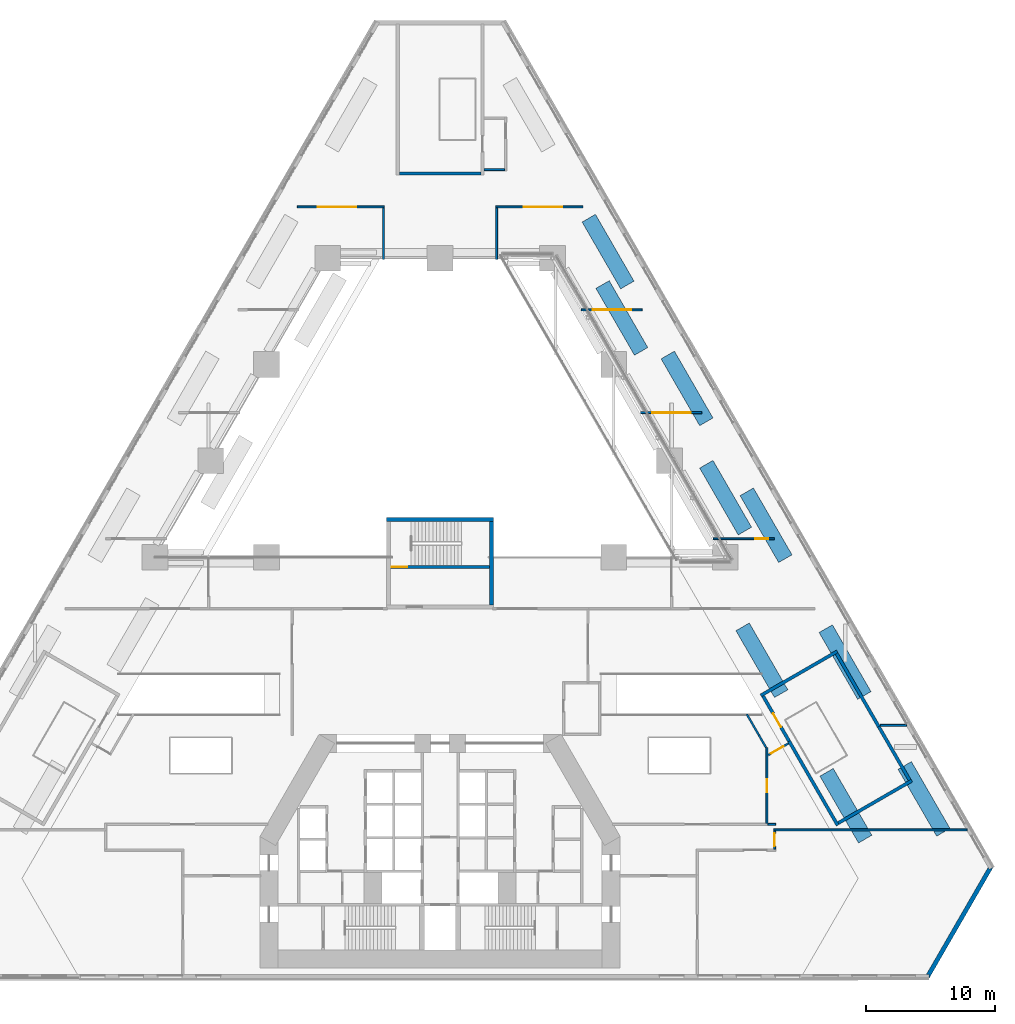
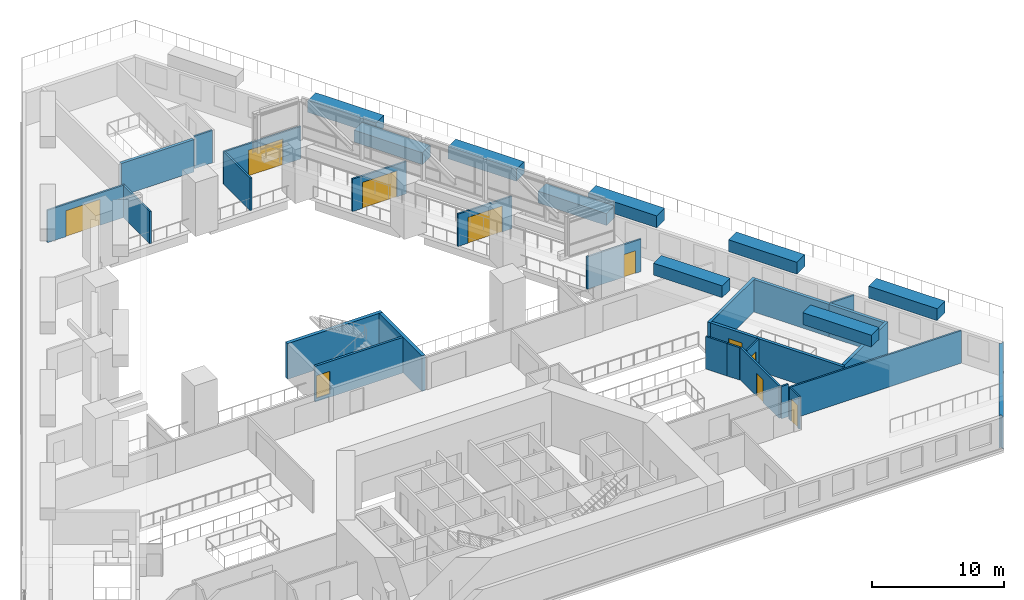
# One storey, part 12 of 19: 36 walls, 10 doors, 10 openings.
"""IFC4 building model written with IfcOpenShell, lengths in metres."""

from ifc_helpers import new_model, si_unit, direction, frame, frame_2d, origin, place, context, subcontext, project, spatial, polyline, rectangle, outline, extrude, material, layer, layer_set, type_object, element, fill, save


model = new_model("IFC4")

# Units and contexts
model_context = context("Model", 3, precision=1e-05, world=origin(), true_north=direction((0.0, 1.0)))
body_context = subcontext(model_context, "Body", "Model", "MODEL_VIEW")
ifc_project = project(units=[si_unit("LENGTHUNIT", "METRE"), si_unit("AREAUNIT", "SQUARE_METRE"), si_unit("VOLUMEUNIT", "CUBIC_METRE"), si_unit("PLANEANGLEUNIT", "RADIAN"), si_unit("MASSUNIT", "GRAM", prefix="KILO")], contexts=[model_context])

# Site, building, storey
site_placement = place(None, origin())
site = spatial("IfcSite", under=ifc_project, at=site_placement, CompositionType="ELEMENT")
building_placement = place(site_placement, origin())
building = spatial("IfcBuilding", under=site, at=building_placement, Name="Fogline Exchange Tower", CompositionType="ELEMENT")
storey_placement = place(building_placement, frame((0.0, 0.0, 20.0)))
storey = spatial("IfcBuildingStorey", under=building, at=storey_placement, Name="L03", CompositionType="ELEMENT", Elevation=20.0)

# Wall, opening, door
ifc_material_1 = material(Name="Concrete C40", Category="concrete")
ifc_layer_1 = layer(ifc_material_1, 0.199951171875)
ifc_layer_set_1 = layer_set([ifc_layer_1], Name="CW20R")
wall_type_1 = type_object("IfcWallType", Name="CW20R", PredefinedType="SOLIDWALL", material=ifc_layer_set_1)
wall_1_placement = place(storey_placement, frame((-3.85009765625, 32.007080078125, -0.300048828125), z_axis=(0.0, 0.0, 1.0), x_axis=(1.0, 0.0, 0.0)))
wall_1 = element("IfcWall", 1, at=wall_1_placement, inside=storey, type_object=wall_type_1, Name="Stair enclosure wall ST3", PredefinedType="SOLIDWALL", context=body_context, shape_type="SweptSolid", body=[
    extrude(rectangle(XDim=7.7001953125, YDim=0.199951171875, at=frame_2d((3.85009765625, 0.0))), origin(), (0.0, 0.0, 1.0), 3.300048828125),
])
opening_1_placement = place(wall_1_placement, frame((0.10009765625, 0.0, 0.300048828125)))
opening_1 = element("IfcOpeningElement", 2, at=opening_1_placement, cuts=wall_1, Name="Opening P03-C022", PredefinedType="OPENING", context=body_context, shape_type="SweptSolid", body=[
    extrude(rectangle(XDim=1.199951171875, YDim=2.10009765625, at=frame_2d((0.60009765625, 1.050048828125))), frame((0.0, 0.10986328125, 0.0), z_axis=(0.0, -1.0, 0.0), x_axis=(1.0, 0.0, 0.0)), (0.0, 0.0, 1.0), 0.219970703125),
])
ifc_material_2 = material(Name="Steel and timber fire door", Category="steel")
door_type_1 = type_object("IfcDoorType", Name="D-ST1", OperationType="SINGLE_SWING_LEFT", PredefinedType="DOOR", material=ifc_material_2)
door_1_placement = place(opening_1_placement, origin())
door_1 = element("IfcDoor", 3, at=door_1_placement, inside=storey, type_object=door_type_1, Name="Stair door ST3", OperationType="SINGLE_SWING_LEFT", OverallHeight=2.10009765625, OverallWidth=1.199951171875, PredefinedType="DOOR", context=body_context, shape_type="SweptSolid", body=[
    extrude(rectangle(XDim=1.199951171875, YDim=2.10009765625, at=frame_2d((0.60009765625, 1.050048828125))), frame((0.0, 0.02490234375, 0.0), z_axis=(0.0, -1.0, 0.0), x_axis=(1.0, 0.0, 0.0)), (0.0, 0.0, 1.0), 0.050048828125),
])
fill(opening_1, door_1)

# Walls
ifc_layer_2 = layer(ifc_material_1, 0.300048828125)
ifc_layer_set_2 = layer_set([ifc_layer_2], Name="CW30")
wall_type_2 = type_object("IfcWallType", Name="CW30", PredefinedType="SOLIDWALL", material=ifc_layer_set_2)
wall_2_placement = place(storey_placement, frame((-4.14990234375, 35.70703125, -0.300048828125), z_axis=(0.0, 0.0, 1.0), x_axis=(1.0, 0.0, 0.0)))
element("IfcWall", 4, at=wall_2_placement, inside=storey, type_object=wall_type_2, Name="Stair enclosure wall ST3", PredefinedType="SOLIDWALL", context=body_context, shape_type="SweptSolid", body=[
    extrude(rectangle(XDim=8.2998046875, YDim=0.300048828125, at=frame_2d((4.14990234375, 0.0))), origin(), (0.0, 0.0, 1.0), 3.300048828125),
])
wall_3_placement = place(storey_placement, frame((4.0, 29.056884765625, -0.300048828125), z_axis=(0.0, 0.0, 1.0), x_axis=(0.0, 1.0, 0.0)))
element("IfcWall", 5, at=wall_3_placement, inside=storey, type_object=wall_type_2, Name="Stair enclosure wall ST3", PredefinedType="SOLIDWALL", context=body_context, shape_type="SweptSolid", body=[
    extrude(rectangle(XDim=6.5, YDim=0.300048828125, at=frame_2d((3.25, 0.0))), origin(), (0.0, 0.0, 1.0), 3.300048828125),
])
ifc_material_3 = material(Name="Brick masonry", Category="masonry")
ifc_layer_3 = layer(ifc_material_3, 0.340087890625)
ifc_layer_set_3 = layer_set([ifc_layer_3], Name="FW1")
wall_type_3 = type_object("IfcWallType", Name="FW1", PredefinedType="SOLIDWALL", material=ifc_layer_set_3)
wall_4_placement = place(storey_placement, origin())
element("IfcWall", 6, at=wall_4_placement, inside=storey, type_object=wall_type_3, Name="Brick wall L03 SE-c", PredefinedType="SOLIDWALL", context=body_context, shape_type="SweptSolid", body=[
    extrude(outline(polyline([(37.99951171875, -0.0009765625), (37.99951171875, 0.33935546875), (37.802734375, 0.33935546875), (42.607421875, 8.661376953125), (42.705810546875, 8.490966796875), (43.000732421875, 8.661376953125), (43.0009765625, 8.660888671875), (38.0, -0.001220703125), (37.99951171875, -0.0009765625)])), origin(), (0.0, 0.0, 1.0), 3.0),
])
ifc_material_4 = material(Name="Concrete C30", Category="concrete")
ifc_layer_4 = layer(ifc_material_4, 0.199951171875)
ifc_layer_set_4 = layer_set([ifc_layer_4], Name="PL1")
wall_type_4 = type_object("IfcWallType", Name="PL1", PredefinedType="USERDEFINED", material=ifc_layer_set_4)
wall_5_placement = place(storey_placement, frame((0.0, 0.0, 5.0)))
element("IfcWall", 7, at=wall_5_placement, inside=storey, type_object=wall_type_4, Name="PLANTER podium terrace", ObjectType="PLANTER", PredefinedType="USERDEFINED", context=body_context, shape_type="SweptSolid", body=[
    extrude(outline(polyline([(12.076171875, 59.421875), (11.037109375, 58.82177734375), (14.037109375, 53.62548828125), (15.076171875, 54.2255859375), (12.076171875, 59.421875)])), origin(), (0.0, 0.0, 1.0), 1.10009765625),
])
wall_6_placement = place(storey_placement, frame((0.0, 0.0, 5.0)))
element("IfcWall", 8, at=wall_6_placement, inside=storey, type_object=wall_type_4, Name="PLANTER podium terrace", ObjectType="PLANTER", PredefinedType="USERDEFINED", context=body_context, shape_type="SweptSolid", body=[
    extrude(outline(polyline([(18.217041015625, 48.785400390625), (17.177978515625, 48.185546875), (20.177978515625, 42.9892578125), (21.217041015625, 43.58935546875), (18.217041015625, 48.785400390625)])), origin(), (0.0, 0.0, 1.0), 1.10009765625),
])
wall_7_placement = place(storey_placement, frame((0.0, 0.0, 5.0)))
element("IfcWall", 9, at=wall_7_placement, inside=storey, type_object=wall_type_4, Name="PLANTER podium terrace", ObjectType="PLANTER", PredefinedType="USERDEFINED", context=body_context, shape_type="SweptSolid", body=[
    extrude(outline(polyline([(24.35791015625, 38.149169921875), (23.31884765625, 37.549072265625), (26.31884765625, 32.35302734375), (27.35791015625, 32.952880859375), (24.35791015625, 38.149169921875)])), origin(), (0.0, 0.0, 1.0), 1.10009765625),
])
wall_8_placement = place(storey_placement, frame((0.0, 0.0, 5.0)))
element("IfcWall", 10, at=wall_8_placement, inside=storey, type_object=wall_type_4, Name="PLANTER podium terrace", ObjectType="PLANTER", PredefinedType="USERDEFINED", context=body_context, shape_type="SweptSolid", body=[
    extrude(outline(polyline([(30.498779296875, 27.5126953125), (29.459716796875, 26.912841796875), (32.459716796875, 21.716796875), (33.498779296875, 22.316650390625), (30.498779296875, 27.5126953125)])), origin(), (0.0, 0.0, 1.0), 1.10009765625),
])
wall_9_placement = place(storey_placement, frame((0.0, 0.0, 5.0)))
element("IfcWall", 11, at=wall_9_placement, inside=storey, type_object=wall_type_4, Name="PLANTER podium terrace", ObjectType="PLANTER", PredefinedType="USERDEFINED", context=body_context, shape_type="SweptSolid", body=[
    extrude(outline(polyline([(36.639892578125, 16.87646484375), (35.6005859375, 16.276611328125), (38.6005859375, 11.080322265625), (39.639892578125, 11.680419921875), (36.639892578125, 16.87646484375)])), origin(), (0.0, 0.0, 1.0), 1.10009765625),
])
wall_10_placement = place(storey_placement, frame((0.0, 0.0, 5.0)))
element("IfcWall", 12, at=wall_10_placement, inside=storey, type_object=wall_type_4, Name="PLANTER podium terrace", ObjectType="PLANTER", PredefinedType="USERDEFINED", context=body_context, shape_type="SweptSolid", body=[
    extrude(outline(polyline([(32.525390625, 10.550048828125), (33.564697265625, 11.150146484375), (30.564697265625, 16.34619140625), (29.525390625, 15.74609375), (32.525390625, 10.550048828125)])), origin(), (0.0, 0.0, 1.0), 1.10009765625),
])
wall_11_placement = place(storey_placement, frame((0.0, 0.0, 5.0)))
element("IfcWall", 13, at=wall_11_placement, inside=storey, type_object=wall_type_4, Name="PLANTER podium terrace", ObjectType="PLANTER", PredefinedType="USERDEFINED", context=body_context, shape_type="SweptSolid", body=[
    extrude(outline(polyline([(25.996826171875, 21.85791015625), (27.0361328125, 22.4580078125), (24.0361328125, 27.654052734375), (22.996826171875, 27.05419921875), (25.996826171875, 21.85791015625)])), origin(), (0.0, 0.0, 1.0), 1.10009765625),
])
wall_12_placement = place(storey_placement, frame((0.0, 0.0, 5.0)))
element("IfcWall", 14, at=wall_12_placement, inside=storey, type_object=wall_type_4, Name="PLANTER podium terrace", ObjectType="PLANTER", PredefinedType="USERDEFINED", context=body_context, shape_type="SweptSolid", body=[
    extrude(outline(polyline([(23.17578125, 34.496826171875), (24.21484375, 35.096923828125), (21.21484375, 40.293212890625), (20.17578125, 39.693115234375), (23.17578125, 34.496826171875)])), origin(), (0.0, 0.0, 1.0), 1.10009765625),
])
wall_13_placement = place(storey_placement, frame((0.0, 0.0, 5.0)))
element("IfcWall", 15, at=wall_13_placement, inside=storey, type_object=wall_type_4, Name="PLANTER podium terrace", ObjectType="PLANTER", PredefinedType="USERDEFINED", context=body_context, shape_type="SweptSolid", body=[
    extrude(outline(polyline([(15.110107421875, 48.466796875), (16.1494140625, 49.06689453125), (13.1494140625, 54.26318359375), (12.110107421875, 53.6630859375), (15.110107421875, 48.466796875)])), origin(), (0.0, 0.0, 1.0), 1.10009765625),
])

# Wall, opening, door
ifc_material_5 = material(Name="Plasterboard on steel stud", Category="steel")
ifc_layer_5 = layer(ifc_material_5, 0.14990234375)
ifc_layer_set_5 = layer_set([ifc_layer_5], Name="PP1")
wall_type_5 = type_object("IfcWallType", Name="PP1", PredefinedType="PARTITIONING", material=ifc_layer_set_5)
wall_14_placement = place(storey_placement, frame((26.0, 10.074951171875, 0.0), z_axis=(0.0, 0.0, 1.0), x_axis=(0.0, 1.0, 0.0)))
wall_14 = element("IfcWall", 16, at=wall_14_placement, inside=storey, type_object=wall_type_5, Name="PP1 partition", PredefinedType="PARTITIONING", context=body_context, shape_type="SweptSolid", body=[
    extrude(rectangle(XDim=1.420166015625, YDim=0.14990234375, at=frame_2d((0.7099609375, 0.0))), origin(), (0.0, 0.0, 1.0), 3.0),
])
opening_2_placement = place(wall_14_placement, frame((0.22509765625, 0.0, 0.0)))
opening_2 = element("IfcOpeningElement", 17, at=opening_2_placement, cuts=wall_14, Name="Opening P03-D017", PredefinedType="OPENING", context=body_context, shape_type="SweptSolid", body=[
    extrude(rectangle(XDim=1.0, YDim=2.10009765625, at=frame_2d((0.5, 1.050048828125))), frame((0.0, 0.0849609375, 0.0), z_axis=(0.0, -1.0, 0.0), x_axis=(1.0, 0.0, 0.0)), (0.0, 0.0, 1.0), 0.169921875),
])
ifc_material_6 = material(Name="Timber", Category="wood")
door_type_2 = type_object("IfcDoorType", Name="PD1", OperationType="SINGLE_SWING_LEFT", PredefinedType="DOOR", material=ifc_material_6)
door_2_placement = place(opening_2_placement, frame((1.0, 0.0, 0.0), z_axis=(0.0, 0.0, 1.0), x_axis=(-1.0, 0.0, 0.0)))
door_2 = element("IfcDoor", 18, at=door_2_placement, inside=storey, type_object=door_type_2, Name="P03-D017", OperationType="SINGLE_SWING_LEFT", OverallHeight=2.10009765625, OverallWidth=1.0, PredefinedType="DOOR", context=body_context, shape_type="SweptSolid", body=[
    extrude(rectangle(XDim=1.0, YDim=2.10009765625, at=frame_2d((0.5, 1.050048828125))), frame((0.0, 0.02490234375, 0.0), z_axis=(0.0, -1.0, 0.0), x_axis=(1.0, 0.0, 0.0)), (0.0, 0.0, 1.0), 0.050048828125),
])
fill(opening_2, door_2)

# Walls
wall_15_placement = place(storey_placement, frame((25.925048828125, 11.570068359375, 0.0), z_axis=(0.0, 0.0, 1.0), x_axis=(1.0, 0.0, 0.0)))
element("IfcWall", 19, at=wall_15_placement, inside=storey, type_object=wall_type_5, Name="PP1 partition", PredefinedType="PARTITIONING", context=body_context, shape_type="SweptSolid", body=[
    extrude(rectangle(XDim=15.042724609375, YDim=0.14990234375, at=frame_2d((7.521484375, 0.0))), origin(), (0.0, 0.0, 1.0), 3.0),
])
wall_16_placement = place(storey_placement, frame((25.47509765625, 12.0, 0.0), z_axis=(0.0, 0.0, 1.0), x_axis=(1.0, 0.0, 0.0)))
element("IfcWall", 20, at=wall_16_placement, inside=storey, type_object=wall_type_5, Name="PP1 partition", PredefinedType="PARTITIONING", context=body_context, shape_type="SweptSolid", body=[
    extrude(rectangle(XDim=0.599853515625, YDim=0.14990234375, at=frame_2d((0.2998046875, 0.0))), origin(), (0.0, 0.0, 1.0), 3.0),
])

# Wall, opening, door
wall_17_placement = place(storey_placement, frame((25.39990234375, 17.964599609375, 0.0), z_axis=(0.0, 0.0, 1.0), x_axis=(0.0, -1.0, 0.0)))
wall_17 = element("IfcWall", 21, at=wall_17_placement, inside=storey, type_object=wall_type_5, Name="PP1 partition", PredefinedType="PARTITIONING", context=body_context, shape_type="SweptSolid", body=[
    extrude(rectangle(XDim=5.8896484375, YDim=0.14990234375, at=frame_2d((2.94482421875, 0.0))), origin(), (0.0, 0.0, 1.0), 3.0),
])
opening_3_placement = place(wall_17_placement, frame((2.464599609375, 0.0, 0.0)))
opening_3 = element("IfcOpeningElement", 22, at=opening_3_placement, cuts=wall_17, Name="Opening P03-D016", PredefinedType="OPENING", context=body_context, shape_type="SweptSolid", body=[
    extrude(rectangle(XDim=1.0, YDim=2.10009765625, at=frame_2d((0.5, 1.050048828125))), frame((0.0, 0.0849609375, 0.0), z_axis=(0.0, -1.0, 0.0), x_axis=(1.0, 0.0, 0.0)), (0.0, 0.0, 1.0), 0.169921875),
])
door_3_placement = place(opening_3_placement, origin())
door_3 = element("IfcDoor", 23, at=door_3_placement, inside=storey, type_object=door_type_2, Name="P03-D016", OperationType="SINGLE_SWING_RIGHT", OverallHeight=2.10009765625, OverallWidth=1.0, PredefinedType="DOOR", context=body_context, shape_type="SweptSolid", body=[
    extrude(rectangle(XDim=1.0, YDim=2.10009765625, at=frame_2d((0.5, 1.050048828125))), frame((0.0, 0.02490234375, 0.0), z_axis=(0.0, -1.0, 0.0), x_axis=(1.0, 0.0, 0.0)), (0.0, 0.0, 1.0), 0.050048828125),
])
fill(opening_3, door_3)

# Wall
wall_18_placement = place(storey_placement, frame((25.3369140625, 17.974609375, 0.0), z_axis=(0.0, 0.0, 1.0), x_axis=(-0.50011622646, 0.865958290007, 0.0)))
element("IfcWall", 24, at=wall_18_placement, inside=storey, type_object=wall_type_5, Name="PP1 partition", PredefinedType="PARTITIONING", context=body_context, shape_type="SweptSolid", body=[
    extrude(rectangle(XDim=1.109130859375, YDim=0.14990234375, at=frame_2d((0.5546875, 0.0))), origin(), (0.0, 0.0, 1.0), 3.0),
])

# Wall, opening, door
wall_19_placement = place(storey_placement, frame((27.086669921875, 18.29443359375, 0.0), z_axis=(0.0, 0.0, 1.0), x_axis=(-0.866100518934, -0.499869874169, 0.0)))
wall_19 = element("IfcWall", 25, at=wall_19_placement, inside=storey, type_object=wall_type_5, Name="PP1 partition", PredefinedType="PARTITIONING", context=body_context, shape_type="SweptSolid", body=[
    extrude(rectangle(XDim=1.81591796875, YDim=0.14990234375, at=frame_2d((0.907958984375, 0.0))), origin(), (0.0, 0.0, 1.0), 3.0),
])
opening_4_placement = place(wall_19_placement, frame((0.461181640625, 0.0, 0.0)))
opening_4 = element("IfcOpeningElement", 26, at=opening_4_placement, cuts=wall_19, Name="Opening P03-D005", PredefinedType="OPENING", context=body_context, shape_type="SweptSolid", body=[
    extrude(rectangle(XDim=1.10009765625, YDim=2.10009765625, at=frame_2d((0.550048828125, 1.050048828125))), frame((0.0, 0.0849609375, 0.0), z_axis=(0.0, -1.0, 0.0), x_axis=(1.0, 0.0, 0.0)), (0.0, 0.0, 1.0), 0.169921875),
])
ifc_material_7 = material(Name="Steel Q235B", Category="steel")
door_type_3 = type_object("IfcDoorType", Name="PD5", OperationType="SINGLE_SWING_LEFT", PredefinedType="DOOR", material=ifc_material_7)
door_4_placement = place(opening_4_placement, origin())
door_4 = element("IfcDoor", 27, at=door_4_placement, inside=storey, type_object=door_type_3, Name="P03-D005", OperationType="SINGLE_SWING_RIGHT", OverallHeight=2.10009765625, OverallWidth=1.10009765625, PredefinedType="DOOR", context=body_context, shape_type="SweptSolid", body=[
    extrude(rectangle(XDim=1.10009765625, YDim=2.10009765625, at=frame_2d((0.550048828125, 1.050048828125))), frame((0.0, 0.02490234375, 0.0), z_axis=(0.0, -1.0, 0.0), x_axis=(1.0, 0.0, 0.0)), (0.0, 0.0, 1.0), 0.050048828125),
])
fill(opening_4, door_4)

# Walls
wall_20_placement = place(storey_placement, frame((24.7822265625, 18.93505859375, 0.0), z_axis=(0.0, 0.0, 1.0), x_axis=(-0.499962016178, 0.866047332643, 0.0)))
element("IfcWall", 28, at=wall_20_placement, inside=storey, type_object=wall_type_5, Name="PP1 partition", PredefinedType="PARTITIONING", context=body_context, shape_type="SweptSolid", body=[
    extrude(rectangle(XDim=1.882080078125, YDim=0.14990234375, at=frame_2d((0.94091796875, 0.0))), origin(), (0.0, 0.0, 1.0), 3.0),
])
wall_21_placement = place(storey_placement, frame((34.2294921875, 19.699951171875, 0.0), z_axis=(0.0, 0.0, 1.0), x_axis=(1.0, 0.0, 0.0)))
element("IfcWall", 29, at=wall_21_placement, inside=storey, type_object=wall_type_5, Name="PP1 partition", PredefinedType="PARTITIONING", context=body_context, shape_type="SweptSolid", body=[
    extrude(rectangle(XDim=2.04443359375, YDim=0.14990234375, at=frame_2d((1.022216796875, 0.0))), origin(), (0.0, 0.0, 1.0), 3.0),
])

# Wall, opening, door
wall_22_placement = place(storey_placement, frame((21.25146484375, 34.199951171875, 0.0), z_axis=(0.0, 0.0, 1.0), x_axis=(1.0, 0.0, 0.0)))
wall_22 = element("IfcWall", 30, at=wall_22_placement, inside=storey, type_object=wall_type_5, Name="PP1 partition", PredefinedType="PARTITIONING", context=body_context, shape_type="SweptSolid", body=[
    extrude(rectangle(XDim=4.734130859375, YDim=0.14990234375, at=frame_2d((2.3671875, 0.0))), origin(), (0.0, 0.0, 1.0), 3.0),
])
opening_5_placement = place(wall_22_placement, frame((3.24853515625, 0.0, 0.0)))
opening_5 = element("IfcOpeningElement", 31, at=opening_5_placement, cuts=wall_22, Name="Opening P03-D033", PredefinedType="OPENING", context=body_context, shape_type="SweptSolid", body=[
    extrude(rectangle(XDim=1.0, YDim=2.10009765625, at=frame_2d((0.5, 1.050048828125))), frame((0.0, 0.0849609375, 0.0), z_axis=(0.0, -1.0, 0.0), x_axis=(1.0, 0.0, 0.0)), (0.0, 0.0, 1.0), 0.169921875),
])
door_5_placement = place(opening_5_placement, origin())
door_5 = element("IfcDoor", 32, at=door_5_placement, inside=storey, type_object=door_type_2, Name="P03-D033", OperationType="SINGLE_SWING_RIGHT", OverallHeight=2.10009765625, OverallWidth=1.0, PredefinedType="DOOR", context=body_context, shape_type="SweptSolid", body=[
    extrude(rectangle(XDim=1.0, YDim=2.10009765625, at=frame_2d((0.5, 1.050048828125))), frame((0.0, 0.02490234375, 0.0), z_axis=(0.0, -1.0, 0.0), x_axis=(1.0, 0.0, 0.0)), (0.0, 0.0, 1.0), 0.050048828125),
])
fill(opening_5, door_5)

wall_23_placement = place(storey_placement, frame((15.593505859375, 44.0, 0.0), z_axis=(0.0, 0.0, 1.0), x_axis=(1.0, 0.0, 0.0)))
wall_23 = element("IfcWall", 33, at=wall_23_placement, inside=storey, type_object=wall_type_5, Name="PP1 partition", PredefinedType="PARTITIONING", context=body_context, shape_type="SweptSolid", body=[
    extrude(rectangle(XDim=4.73388671875, YDim=0.14990234375, at=frame_2d((2.366943359375, 0.0))), origin(), (0.0, 0.0, 1.0), 3.0),
])
opening_6_placement = place(wall_23_placement, frame((0.884521484375, 0.0, 0.0)))
opening_6 = element("IfcOpeningElement", 34, at=opening_6_placement, cuts=wall_23, Name="Opening P03-D023", PredefinedType="OPENING", context=body_context, shape_type="SweptSolid", body=[
    extrude(rectangle(XDim=3.0, YDim=2.39990234375, at=frame_2d((1.5, 1.199951171875))), frame((0.0, 0.0849609375, 0.0), z_axis=(0.0, -1.0, 0.0), x_axis=(1.0, 0.0, 0.0)), (0.0, 0.0, 1.0), 0.169921875),
])
door_type_4 = type_object("IfcDoorType", Name="PD13", OperationType="DOUBLE_DOOR_SINGLE_SWING", PredefinedType="DOOR", material=ifc_material_7)
door_6_placement = place(opening_6_placement, origin())
door_6 = element("IfcDoor", 35, at=door_6_placement, inside=storey, type_object=door_type_4, Name="P03-D023", OperationType="DOUBLE_DOOR_SINGLE_SWING", OverallHeight=2.39990234375, OverallWidth=3.0, PredefinedType="DOOR", context=body_context, shape_type="SweptSolid", body=[
    extrude(rectangle(XDim=3.0, YDim=2.39990234375, at=frame_2d((1.5, 1.199951171875))), frame((0.0, 0.02490234375, 0.0), z_axis=(0.0, -1.0, 0.0), x_axis=(1.0, 0.0, 0.0)), (0.0, 0.0, 1.0), 0.050048828125),
])
fill(opening_6, door_6)

wall_24_placement = place(storey_placement, frame((10.974609375, 52.0, 0.0), z_axis=(0.0, 0.0, 1.0), x_axis=(1.0, 0.0, 0.0)))
wall_24 = element("IfcWall", 36, at=wall_24_placement, inside=storey, type_object=wall_type_5, Name="PP1 partition", PredefinedType="PARTITIONING", context=body_context, shape_type="SweptSolid", body=[
    extrude(rectangle(XDim=4.734130859375, YDim=0.14990234375, at=frame_2d((2.3671875, 0.0))), origin(), (0.0, 0.0, 1.0), 3.0),
])
opening_7_placement = place(wall_24_placement, frame((0.884521484375, 0.0, 0.0)))
opening_7 = element("IfcOpeningElement", 37, at=opening_7_placement, cuts=wall_24, Name="Opening P03-D025", PredefinedType="OPENING", context=body_context, shape_type="SweptSolid", body=[
    extrude(rectangle(XDim=3.0, YDim=2.39990234375, at=frame_2d((1.5, 1.199951171875))), frame((0.0, 0.0849609375, 0.0), z_axis=(0.0, -1.0, 0.0), x_axis=(1.0, 0.0, 0.0)), (0.0, 0.0, 1.0), 0.169921875),
])
door_7_placement = place(opening_7_placement, frame((3.0, 0.0, 0.0), z_axis=(0.0, 0.0, 1.0), x_axis=(-1.0, 0.0, 0.0)))
door_7 = element("IfcDoor", 38, at=door_7_placement, inside=storey, type_object=door_type_4, Name="P03-D025", OperationType="DOUBLE_DOOR_SINGLE_SWING", OverallHeight=2.39990234375, OverallWidth=3.0, PredefinedType="DOOR", context=body_context, shape_type="SweptSolid", body=[
    extrude(rectangle(XDim=3.0, YDim=2.39990234375, at=frame_2d((1.5, 1.199951171875))), frame((0.0, 0.02490234375, 0.0), z_axis=(0.0, -1.0, 0.0), x_axis=(1.0, 0.0, 0.0)), (0.0, 0.0, 1.0), 0.050048828125),
])
fill(opening_7, door_7)

# Walls
for number, where, z_axis, x_axis, name in (
    (39, (4.39990234375, 55.925048828125, 0.0), (0.0, 0.0, 1.0), (0.0, 1.0, 0.0), "PP1 partition"),
    (40, (-4.39990234375, 59.925048828125, 0.0), (0.0, 0.0, 1.0), (0.0, -1.0, 0.0), "PP1 partition"),
):
    element("IfcWall", number, at=place(storey_placement, frame(where, z_axis=z_axis, x_axis=x_axis)), inside=storey, type_object=wall_type_5, Name=name, PredefinedType="PARTITIONING", context=body_context, shape_type="SweptSolid", body=[
        extrude(rectangle(XDim=4.0, YDim=0.14990234375, at=frame_2d((2.0, 0.0))), origin(), (0.0, 0.0, 1.0), 3.0),
    ])

# Wall, opening, door
wall_25_placement = place(storey_placement, frame((-11.10205078125, 60.0, 0.0), z_axis=(0.0, 0.0, 1.0), x_axis=(1.0, 0.0, 0.0)))
wall_25 = element("IfcWall", 41, at=wall_25_placement, inside=storey, type_object=wall_type_5, Name="PP1 partition", PredefinedType="PARTITIONING", context=body_context, shape_type="SweptSolid", body=[
    extrude(rectangle(XDim=6.777099609375, YDim=0.14990234375, at=frame_2d((3.388671875, 0.0))), origin(), (0.0, 0.0, 1.0), 3.0),
])
opening_8_placement = place(wall_25_placement, frame((1.60205078125, 0.0, 0.0)))
opening_8 = element("IfcOpeningElement", 42, at=opening_8_placement, cuts=wall_25, Name="Opening P03-D020", PredefinedType="OPENING", context=body_context, shape_type="SweptSolid", body=[
    extrude(rectangle(XDim=3.0, YDim=2.39990234375, at=frame_2d((1.5, 1.199951171875))), frame((0.0, 0.0849609375, 0.0), z_axis=(0.0, -1.0, 0.0), x_axis=(1.0, 0.0, 0.0)), (0.0, 0.0, 1.0), 0.169921875),
])
door_8_placement = place(opening_8_placement, frame((3.0, 0.0, 0.0), z_axis=(0.0, 0.0, 1.0), x_axis=(-1.0, 0.0, 0.0)))
door_8 = element("IfcDoor", 43, at=door_8_placement, inside=storey, type_object=door_type_4, Name="P03-D020", OperationType="DOUBLE_DOOR_SINGLE_SWING", OverallHeight=2.39990234375, OverallWidth=3.0, PredefinedType="DOOR", context=body_context, shape_type="SweptSolid", body=[
    extrude(rectangle(XDim=3.0, YDim=2.39990234375, at=frame_2d((1.5, 1.199951171875))), frame((0.0, 0.02490234375, 0.0), z_axis=(0.0, -1.0, 0.0), x_axis=(1.0, 0.0, 0.0)), (0.0, 0.0, 1.0), 0.050048828125),
])
fill(opening_8, door_8)

wall_26_placement = place(storey_placement, frame((4.324951171875, 60.0, 0.0), z_axis=(0.0, 0.0, 1.0), x_axis=(1.0, 0.0, 0.0)))
wall_26 = element("IfcWall", 44, at=wall_26_placement, inside=storey, type_object=wall_type_5, Name="PP1 partition", PredefinedType="PARTITIONING", context=body_context, shape_type="SweptSolid", body=[
    extrude(rectangle(XDim=6.777099609375, YDim=0.14990234375, at=frame_2d((3.388671875, 0.0))), origin(), (0.0, 0.0, 1.0), 3.0),
])
opening_9_placement = place(wall_26_placement, frame((2.175048828125, 0.0, 0.0)))
opening_9 = element("IfcOpeningElement", 45, at=opening_9_placement, cuts=wall_26, Name="Opening P03-D021", PredefinedType="OPENING", context=body_context, shape_type="SweptSolid", body=[
    extrude(rectangle(XDim=3.0, YDim=2.39990234375, at=frame_2d((1.5, 1.199951171875))), frame((0.0, 0.0849609375, 0.0), z_axis=(0.0, -1.0, 0.0), x_axis=(1.0, 0.0, 0.0)), (0.0, 0.0, 1.0), 0.169921875),
])
door_9_placement = place(opening_9_placement, frame((3.0, 0.0, 0.0), z_axis=(0.0, 0.0, 1.0), x_axis=(-1.0, 0.0, 0.0)))
door_9 = element("IfcDoor", 46, at=door_9_placement, inside=storey, type_object=door_type_4, Name="P03-D021", OperationType="DOUBLE_DOOR_SINGLE_SWING", OverallHeight=2.39990234375, OverallWidth=3.0, PredefinedType="DOOR", context=body_context, shape_type="SweptSolid", body=[
    extrude(rectangle(XDim=3.0, YDim=2.39990234375, at=frame_2d((1.5, 1.199951171875))), frame((0.0, 0.02490234375, 0.0), z_axis=(0.0, -1.0, 0.0), x_axis=(1.0, 0.0, 0.0)), (0.0, 0.0, 1.0), 0.050048828125),
])
fill(opening_9, door_9)

# Walls
wall_27_placement = place(storey_placement, frame((5.02490234375, 62.89990234375, 0.0), z_axis=(0.0, 0.0, 1.0), x_axis=(-1.0, 0.0, 0.0)))
element("IfcWall", 47, at=wall_27_placement, inside=storey, type_object=wall_type_5, Name="PP1 partition", PredefinedType="PARTITIONING", context=body_context, shape_type="SweptSolid", body=[
    extrude(rectangle(XDim=1.599853515625, YDim=0.14990234375, at=frame_2d((0.7998046875, 0.0))), origin(), (0.0, 0.0, 1.0), 3.0),
])
ifc_layer_6 = layer(ifc_material_1, 0.25)
ifc_layer_set_6 = layer_set([ifc_layer_6], Name="PP3")
wall_type_6 = type_object("IfcWallType", Name="PP3", PredefinedType="SOLIDWALL", material=ifc_layer_set_6)
wall_28_placement = place(storey_placement, frame((30.906982421875, 11.926513671875, 0.0), z_axis=(0.0, 0.0, 1.0), x_axis=(-0.499985572004, 0.866033733632, 0.0)))
element("IfcWall", 48, at=wall_28_placement, inside=storey, type_object=wall_type_6, Name="PP3 bearing wall", PredefinedType="SOLIDWALL", context=body_context, shape_type="SweptSolid", body=[
    extrude(rectangle(XDim=7.550048828125, YDim=0.25, at=frame_2d((3.77490234375, 0.0))), origin(), (0.0, 0.0, 1.0), 3.0),
])
wall_29_placement = place(storey_placement, frame((36.66845703125, 15.397216796875, 0.0), z_axis=(0.0, 0.0, 1.0), x_axis=(-0.866040211805, -0.499974350878, 0.0)))
element("IfcWall", 49, at=wall_29_placement, inside=storey, type_object=wall_type_6, Name="PP3 bearing wall", PredefinedType="SOLIDWALL", context=body_context, shape_type="SweptSolid", body=[
    extrude(rectangle(XDim=6.599853515625, YDim=0.25, at=frame_2d((3.2998046875, 0.0))), origin(), (0.0, 0.0, 1.0), 3.0),
])

# Wall, opening, door
wall_30_placement = place(storey_placement, frame((27.1318359375, 18.46533203125, 0.0), z_axis=(0.0, 0.0, 1.0), x_axis=(-0.499971214291, 0.866042022584, 0.0)))
wall_30 = element("IfcWall", 50, at=wall_30_placement, inside=storey, type_object=wall_type_6, Name="PP3 bearing wall", PredefinedType="SOLIDWALL", context=body_context, shape_type="SweptSolid", body=[
    extrude(rectangle(XDim=4.049560546875, YDim=0.25, at=frame_2d((2.02490234375, 0.0))), origin(), (0.0, 0.0, 1.0), 3.0),
])
opening_10_placement = place(wall_30_placement, frame((1.274658203125, 0.0, 0.0)))
opening_10 = element("IfcOpeningElement", 51, at=opening_10_placement, cuts=wall_30, Name="Opening P03-D004", PredefinedType="OPENING", context=body_context, shape_type="SweptSolid", body=[
    extrude(rectangle(XDim=1.199951171875, YDim=2.10009765625, at=frame_2d((0.60009765625, 1.050048828125))), frame((0.0, 0.135009765625, 0.0), z_axis=(0.0, -1.0, 0.0), x_axis=(1.0, 0.0, 0.0)), (0.0, 0.0, 1.0), 0.27001953125),
])
door_type_5 = type_object("IfcDoorType", Name="PD7", OperationType="SINGLE_SWING_LEFT", PredefinedType="DOOR", material=ifc_material_7)
door_10_placement = place(opening_10_placement, origin())
door_10 = element("IfcDoor", 52, at=door_10_placement, inside=storey, type_object=door_type_5, Name="P03-D004", OperationType="SINGLE_SWING_LEFT", OverallHeight=2.10009765625, OverallWidth=1.199951171875, PredefinedType="DOOR", context=body_context, shape_type="SweptSolid", body=[
    extrude(rectangle(XDim=1.199951171875, YDim=2.10009765625, at=frame_2d((0.60009765625, 1.050048828125))), frame((0.0, 0.02490234375, 0.0), z_axis=(0.0, -1.0, 0.0), x_axis=(1.0, 0.0, 0.0)), (0.0, 0.0, 1.0), 0.050048828125),
])
fill(opening_10, door_10)

# Walls
wall_31_placement = place(storey_placement, frame((34.1025390625, 19.591552734375, 0.0), z_axis=(0.0, 0.0, 1.0), x_axis=(0.499981253467, -0.86603622683, 0.0)))
element("IfcWall", 53, at=wall_31_placement, inside=storey, type_object=wall_type_6, Name="PP3 bearing wall", PredefinedType="SOLIDWALL", context=body_context, shape_type="SweptSolid", body=[
    extrude(rectangle(XDim=4.790771484375, YDim=0.25, at=frame_2d((2.3955078125, 0.0))), origin(), (0.0, 0.0, 1.0), 3.0),
])
wall_32_placement = place(storey_placement, frame((24.936279296875, 22.018310546875, 0.0), z_axis=(0.0, 0.0, 1.0), x_axis=(0.866050272892, 0.499956922968, 0.0)))
element("IfcWall", 54, at=wall_32_placement, inside=storey, type_object=wall_type_6, Name="PP3 bearing wall", PredefinedType="SOLIDWALL", context=body_context, shape_type="SweptSolid", body=[
    extrude(rectangle(XDim=6.85009765625, YDim=0.25, at=frame_2d((3.425048828125, 0.0))), origin(), (0.0, 0.0, 1.0), 3.0),
])
wall_33_placement = place(storey_placement, frame((30.822998046875, 25.2724609375, 0.0), z_axis=(0.0, 0.0, 1.0), x_axis=(0.499978056798, -0.866038072327, 0.0)))
element("IfcWall", 55, at=wall_33_placement, inside=storey, type_object=wall_type_6, Name="PP3 bearing wall", PredefinedType="SOLIDWALL", context=body_context, shape_type="SweptSolid", body=[
    extrude(rectangle(XDim=6.559326171875, YDim=0.25, at=frame_2d((3.27978515625, 0.0))), origin(), (0.0, 0.0, 1.0), 3.0),
])
wall_34_placement = place(storey_placement, frame((3.175048828125, 62.60009765625, 0.0), z_axis=(0.0, 0.0, 1.0), x_axis=(-1.0, 0.0, 0.0)))
element("IfcWall", 56, at=wall_34_placement, inside=storey, type_object=wall_type_6, Name="PP3 bearing wall", PredefinedType="SOLIDWALL", context=body_context, shape_type="SweptSolid", body=[
    extrude(rectangle(XDim=6.35009765625, YDim=0.25, at=frame_2d((3.175048828125, 0.0))), origin(), (0.0, 0.0, 1.0), 3.0),
])

save(model, "model.ifc")
